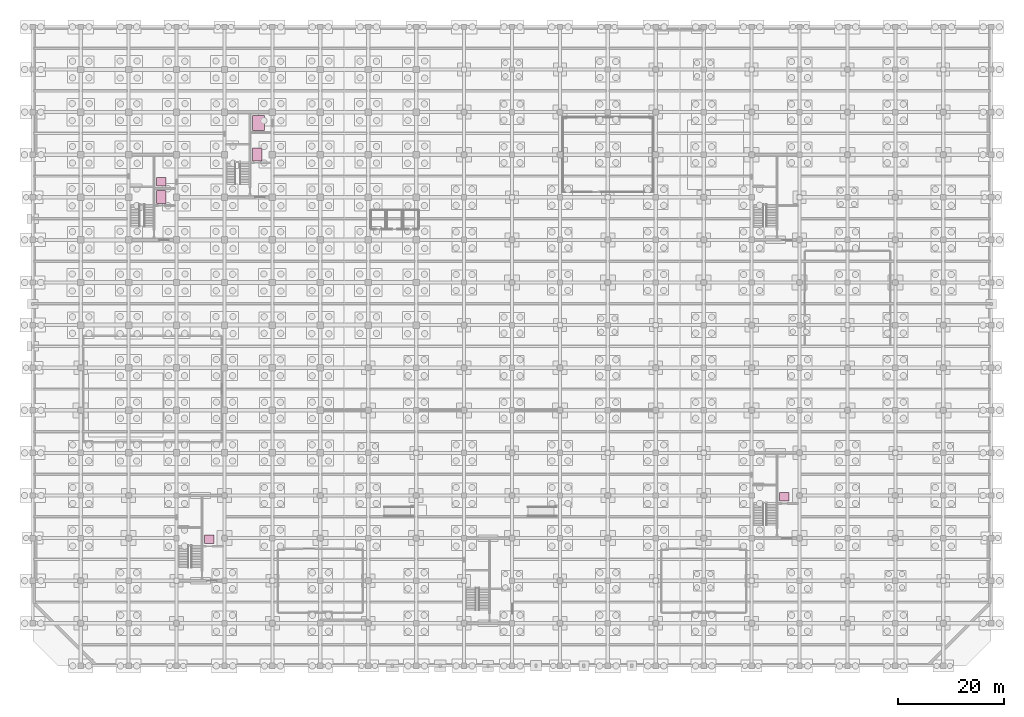
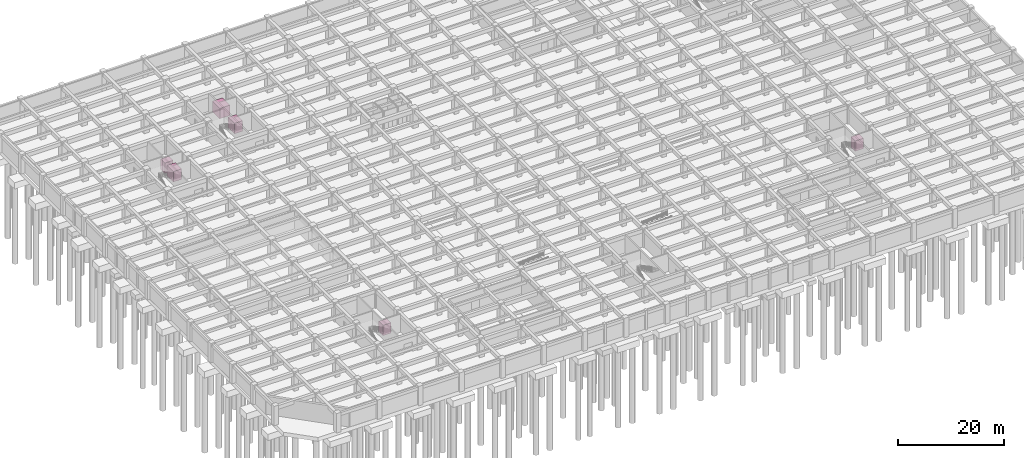
# One storey, part 31 of 31: 6 transport elements.
"""IFC4 building model written with IfcOpenShell, lengths in metres."""

from ifc_helpers import new_model, si_unit, direction, frame, origin, origin_2d, place, context, subcontext, project, spatial, rectangle, extrude, material, type_object, element, save


model = new_model("IFC4")

# Units and contexts
model_context = context("Model", 3, precision=1e-05, world=origin(), true_north=direction((0.0, 1.0)))
body_context = subcontext(model_context, "Body", "Model", "MODEL_VIEW")
ifc_project = project(units=[si_unit("LENGTHUNIT", "METRE"), si_unit("AREAUNIT", "SQUARE_METRE"), si_unit("VOLUMEUNIT", "CUBIC_METRE"), si_unit("PLANEANGLEUNIT", "RADIAN"), si_unit("MASSUNIT", "GRAM", prefix="KILO")], contexts=[model_context])

# Site, building, storey
site_placement = place(None, origin())
site = spatial("IfcSite", under=ifc_project, at=site_placement, CompositionType="ELEMENT")
building_placement = place(site_placement, origin())
building = spatial("IfcBuilding", under=site, at=building_placement, Name="Zaverband Oceanarium and Marine Research Institute", CompositionType="ELEMENT")
storey_placement = place(building_placement, frame((0.0, 0.0, -9.0)))
storey = spatial("IfcBuildingStorey", under=building, at=storey_placement, Name="B2", CompositionType="ELEMENT", Elevation=-9.0)

# Transport elements
ifc_material = material(Name="Steel S355", Category="steel")
transport_element_type_1 = type_object("IfcTransportElementType", Name="LFT-FFL-1800x2400", PredefinedType="ELEVATOR", material=ifc_material)
for number, where, z_axis, x_axis, name in (
    (1, (24.14990234375, 88.050048828125, 0.0), (0.0, 0.0, 1.0), (1.0, 0.0, 0.0), "Firefighting Lift FFL-01 (FFL-01)"),
    (2, (42.14990234375, 96.050048828125, 0.0), (0.0, 0.0, 1.0), (1.0, 0.0, 0.0), "Firefighting Lift FFL-02 (FFL-02)"),
):
    element("IfcTransportElement", number, at=place(storey_placement, frame(where, z_axis=z_axis, x_axis=x_axis)), inside=storey, type_object=transport_element_type_1, Name=name, PredefinedType="ELEVATOR", context=body_context, shape_type="SweptSolid", body=[
        extrude(rectangle(XDim=1.800048828125, YDim=2.39990234375, at=origin_2d()), origin(), (0.0, 0.0, 1.0), 2.39990234375),
    ])
transport_element_type_2 = type_object("IfcTransportElementType", Name="LFT-GDS-2200x2800", PredefinedType="ELEVATOR", material=ifc_material)
transport_element_placement = place(storey_placement, frame((42.39990234375, 101.925048828125, 0.0), z_axis=(0.0, 0.0, 1.0), x_axis=(1.0, 0.0, 0.0)))
element("IfcTransportElement", 3, at=transport_element_placement, inside=storey, type_object=transport_element_type_2, Name="Specimen Goods Lift LG-01 (LG-01)", PredefinedType="ELEVATOR", context=body_context, shape_type="SweptSolid", body=[
    extrude(rectangle(XDim=2.199951171875, YDim=2.800048828125, at=origin_2d()), origin(), (0.0, 0.0, 1.0), 2.39990234375),
])
transport_element_type_3 = type_object("IfcTransportElementType", Name="LFT-PAX-1800x1600", PredefinedType="ELEVATOR", material=ifc_material)
for number, where, z_axis, x_axis, name in (
    (4, (24.14990234375, 90.89990234375, 0.0), (0.0, 0.0, 1.0), (1.0, 0.0, 0.0), "Passenger Lift LP-01 (LP-01)"),
    (5, (33.14990234375, 23.800048828125, 0.0), (0.0, 0.0, 1.0), (1.0, 0.0, 0.0), "Aquarium Passenger Lift LP-04 (LP-04)"),
    (6, (141.14990234375, 31.800048828125, 0.0), (0.0, 0.0, 1.0), (1.0, 0.0, 0.0), "Aquarium Passenger Lift LP-05 (LP-05)"),
):
    element("IfcTransportElement", number, at=place(storey_placement, frame(where, z_axis=z_axis, x_axis=x_axis)), inside=storey, type_object=transport_element_type_3, Name=name, PredefinedType="ELEVATOR", context=body_context, shape_type="SweptSolid", body=[
        extrude(rectangle(XDim=1.800048828125, YDim=1.60009765625, at=origin_2d()), origin(), (0.0, 0.0, 1.0), 2.39990234375),
    ])

save(model, "model.ifc")
